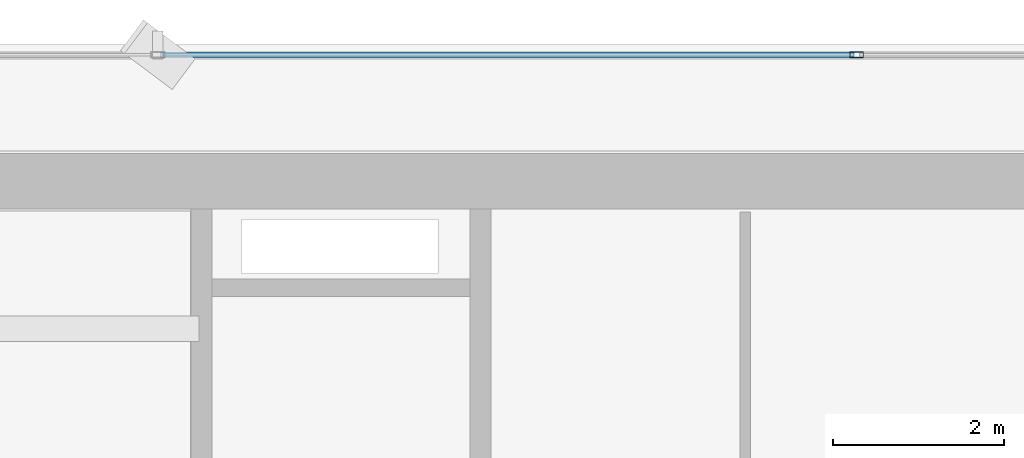
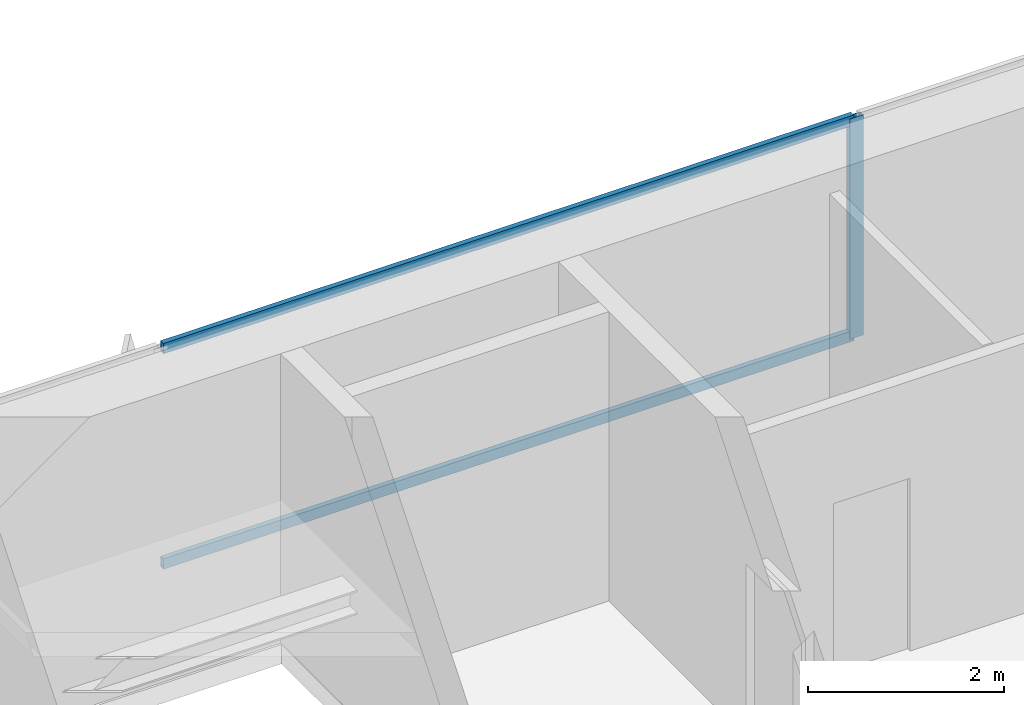
# One storey, part 21 of 37: 3 members, 1 element without a shape of its own.
"""IFC4 building model written with IfcOpenShell, lengths in metres."""

from ifc_helpers import new_model, si_unit, direction, frame, origin, origin_2d, place, context, subcontext, project, spatial, hollow_rectangle, extrude, source, transform, mapped, material, layer, layer_set, material_profile, profile_set, type_object, element, aggregate, save


model = new_model("IFC4")

# Units and contexts
model_context = context("Model", 3, precision=1e-05, world=origin(), true_north=direction((0.0, 1.0)))
body_context = subcontext(model_context, "Body", "Model", "MODEL_VIEW")
ifc_project = project(units=[si_unit("LENGTHUNIT", "METRE"), si_unit("AREAUNIT", "SQUARE_METRE"), si_unit("VOLUMEUNIT", "CUBIC_METRE"), si_unit("PLANEANGLEUNIT", "RADIAN"), si_unit("MASSUNIT", "GRAM", prefix="KILO")], contexts=[model_context])

# Site, building, storey
site_placement = place(None, origin())
site = spatial("IfcSite", under=ifc_project, at=site_placement, CompositionType="ELEMENT")
building_placement = place(site_placement, origin())
building = spatial("IfcBuilding", under=site, at=building_placement, Name="Sumidabori Civic Tower", CompositionType="ELEMENT")
storey_placement = place(building_placement, frame((0.0, 0.0, 117.199951171875)))
storey = spatial("IfcBuildingStorey", under=building, at=storey_placement, Name="L30", CompositionType="ELEMENT", Elevation=117.199951171875)

# Curtain wall, members
ifc_material = material(Name="Anodised Bronze Aluminium AW-6063-T6", Category="aluminium")
ifc_layer = layer(ifc_material, 0.179931640625, Name="Anodised Bronze Aluminium AW-6063-T6")
ifc_layer_set = layer_set([ifc_layer], Name="Anodised Bronze Aluminium AW-6063-T6")
curtain_wall_type = type_object("IfcCurtainWallType", Name="CW-SYS-3", PredefinedType="NOTDEFINED", material=ifc_layer_set)
curtain_wall_placement = place(storey_placement, origin())
curtain_wall = element("IfcCurtainWall", 1, at=curtain_wall_placement, inside=storey, type_object=curtain_wall_type, Name="Curtain Wall CW:L30:R07", PredefinedType="NOTDEFINED")
ifc_material_profile_1 = material_profile(ifc_material, hollow_rectangle(XDim=0.06494140625, YDim=0.159912109375, WallThickness=0.0048828125, at=origin_2d()), Name="ALU MULLION 160x65")
ifc_profile_set_1 = profile_set([ifc_material_profile_1], Name="Anodised Bronze Aluminium AW-6063-T6")
member_type_1 = type_object("IfcMemberType", Name="CW-MUL-160", PredefinedType="MULLION", material=ifc_profile_set_1)
shared_shape_1 = source(origin(), body_context, "Body", "SweptSolid", [
    extrude(hollow_rectangle(XDim=0.06494140625, YDim=0.159912109375, WallThickness=0.0048828125, at=origin_2d()), origin(), (0.0, 0.0, 1.0), 2.739990234375),
])
member_1_placement = place(storey_placement, frame((-4.093994140625, 25.280029296875, 0.0), z_axis=(0.0, 0.0, 1.0), x_axis=(0.0, -1.0, 0.0)))
member_1 = element("IfcMember", 2, at=member_1_placement, type_object=member_type_1, Name="CW-3 mullion 4", PredefinedType="MULLION", context=body_context, shape_type="MappedRepresentation", body=[
    mapped(shared_shape_1, transform((0.0, 0.0, 0.0), x_axis=(1.0, 0.0, 0.0), y_axis=(0.0, 1.0, 0.0), z_axis=(0.0, 0.0, 1.0), scale=1.0)),
])
ifc_material_profile_2 = material_profile(ifc_material, hollow_rectangle(XDim=0.06005859375, YDim=0.1298828125, WallThickness=0.0048828125, at=origin_2d()), Name="ALU TRANSOM 130x60")
ifc_profile_set_2 = profile_set([ifc_material_profile_2], Name="Anodised Bronze Aluminium AW-6063-T6")
member_type_2 = type_object("IfcMemberType", Name="CW-TRN-130", PredefinedType="USERDEFINED", material=ifc_profile_set_2)
shared_shape_2 = source(origin(), body_context, "Body", "SweptSolid", [
    extrude(hollow_rectangle(XDim=0.06005859375, YDim=0.1298828125, WallThickness=0.0048828125, at=origin_2d()), origin(), (0.0, 0.0, 1.0), 8.123046875),
])
member_2_placement = place(storey_placement, frame((-4.12646484375, 25.280029296875, 0.030029296875), z_axis=(-1.0, 0.0, 0.0), x_axis=(0.0, -1.0, 0.0)))
member_2 = element("IfcMember", 3, at=member_2_placement, type_object=member_type_2, Name="CW-3 transom 4.1", ObjectType="TRANSOM", PredefinedType="USERDEFINED", context=body_context, shape_type="MappedRepresentation", body=[
    mapped(shared_shape_2, transform((0.0, 0.0, 0.0), x_axis=(1.0, 0.0, 0.0), y_axis=(0.0, 1.0, 0.0), z_axis=(0.0, 0.0, 1.0), scale=1.0)),
])
member_3_placement = place(storey_placement, frame((-4.12646484375, 25.280029296875, 2.7099609375), z_axis=(-1.0, 0.0, 0.0), x_axis=(0.0, -1.0, 0.0)))
member_3 = element("IfcMember", 4, at=member_3_placement, type_object=member_type_2, Name="CW-3 transom 4.2", ObjectType="TRANSOM", PredefinedType="USERDEFINED", context=body_context, shape_type="MappedRepresentation", body=[
    mapped(shared_shape_2, transform((0.0, 0.0, 0.0), x_axis=(1.0, 0.0, 0.0), y_axis=(0.0, 1.0, 0.0), z_axis=(0.0, 0.0, 1.0), scale=1.0)),
])
aggregate(curtain_wall, [member_1, member_2, member_3])

save(model, "model.ifc")
